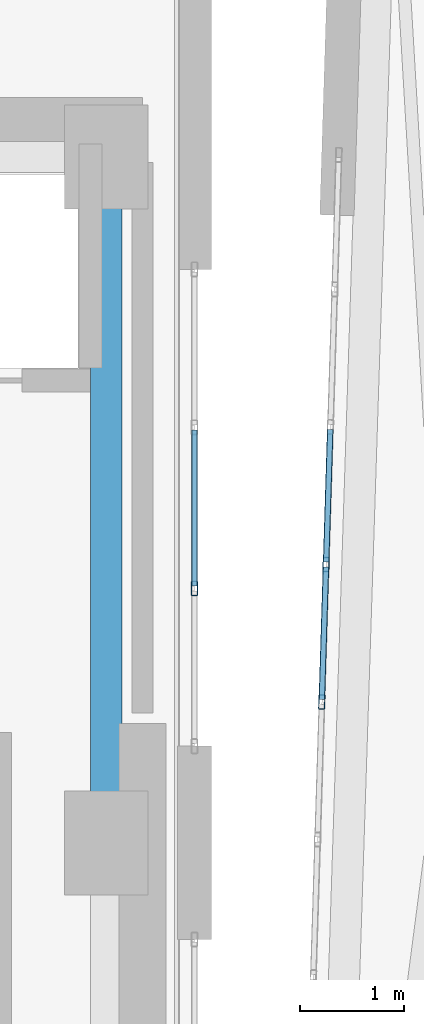
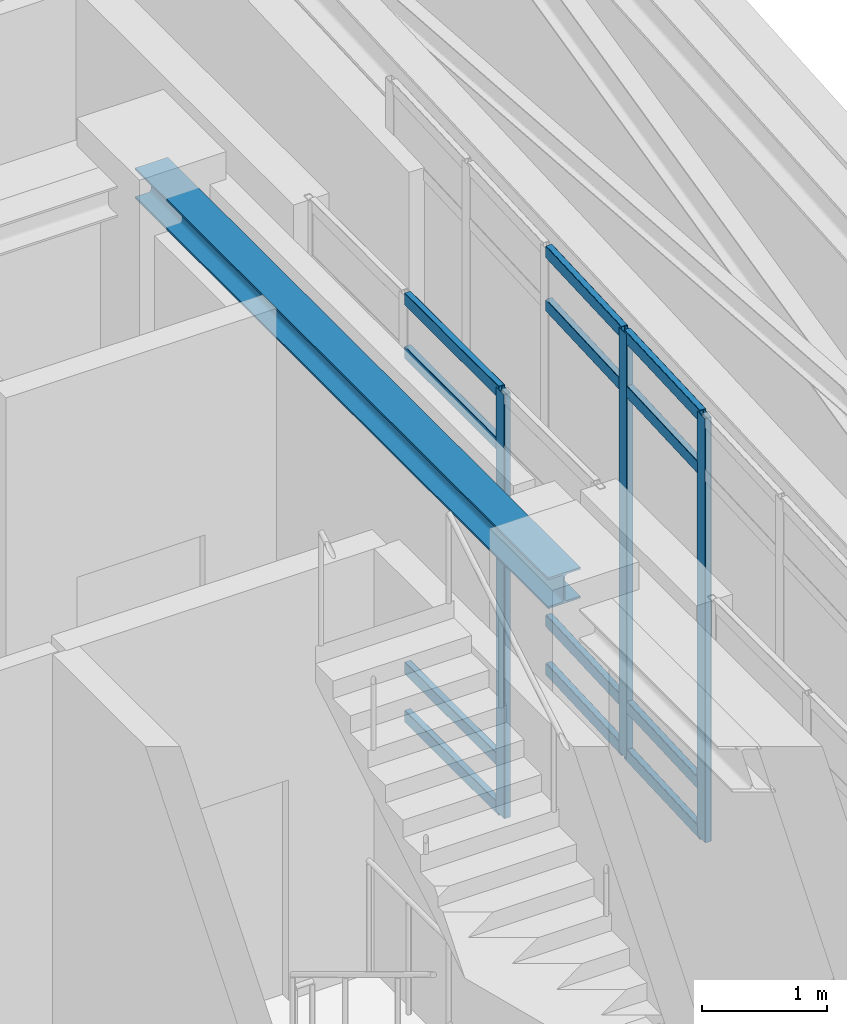
# One storey, part 9 of 19: 15 members, 1 beam, 2 elements without a shape of their own.
"""IFC4 building model written with IfcOpenShell, lengths in metres."""

from ifc_helpers import new_model, si_unit, direction, frame, origin, origin_2d, place, context, subcontext, project, spatial, hollow_rectangle, i_section, extrude, material, layer, layer_set, material_profile, profile_set, type_object, element, aggregate, save


model = new_model("IFC4")

# Units and contexts
model_context = context("Model", 3, precision=1e-05, world=origin(), true_north=direction((0.0, 1.0)))
body_context = subcontext(model_context, "Body", "Model", "MODEL_VIEW")
ifc_project = project(units=[si_unit("LENGTHUNIT", "METRE"), si_unit("AREAUNIT", "SQUARE_METRE"), si_unit("VOLUMEUNIT", "CUBIC_METRE"), si_unit("PLANEANGLEUNIT", "RADIAN"), si_unit("MASSUNIT", "GRAM", prefix="KILO")], contexts=[model_context])

# Site, building, storey
site_placement = place(None, origin())
site = spatial("IfcSite", under=ifc_project, at=site_placement, CompositionType="ELEMENT")
building_placement = place(site_placement, origin())
building = spatial("IfcBuilding", under=site, at=building_placement, Name="Ndelora Gate Hotel", CompositionType="ELEMENT")
storey_placement = place(building_placement, frame((0.0, 0.0, 294.800048828125)))
storey = spatial("IfcBuildingStorey", under=building, at=storey_placement, Name="L73", CompositionType="ELEMENT", Elevation=294.800048828125)

# Beam
ifc_material_1 = material(Name="Steel S355", Category="steel")
ifc_material_profile_1 = material_profile(ifc_material_1, i_section(OverallWidth=0.300048828125, OverallDepth=0.300048828125, WebThickness=0.010986328125, FlangeThickness=0.01904296875, FilletRadius=0.027099609375, at=origin_2d()), Name="HEB 300")
ifc_profile_set_1 = profile_set([ifc_material_profile_1], Name="Steel S355")
beam_type = type_object("IfcBeamType", Name="BM-CORE-300", PredefinedType="BEAM", material=ifc_profile_set_1)
beam_placement = place(storey_placement, frame((8.0, 0.0, 3.97998046875), z_axis=(0.0, 1.0, 0.0), x_axis=(-1.0, 0.0, 0.0)))
element("IfcBeam", 1, at=beam_placement, inside=storey, type_object=beam_type, Name="L73 Core Tie Girder CC4-CC5", PredefinedType="BEAM", context=body_context, shape_type="SweptSolid", body=[
    extrude(i_section(OverallWidth=0.300048828125, OverallDepth=0.300048828125, WebThickness=0.010986328125, FlangeThickness=0.01904296875, FilletRadius=0.027099609375, at=origin_2d()), origin(), (0.0, 0.0, 1.0), 6.60009765625),
])

# Curtain wall, member
ifc_material_2 = material(Name="Bronze Anodised Unitised Aluminium and Low-E Glass", Category="aluminium")
ifc_layer = layer(ifc_material_2, 0.199951171875)
ifc_layer_set = layer_set([ifc_layer], Name="Bronze Anodised Unitised Aluminium and Low-E Glass")
curtain_wall_type = type_object("IfcCurtainWallType", Name="CW-SYS-8", PredefinedType="NOTDEFINED", material=ifc_layer_set)
curtain_wall_1_placement = place(storey_placement, origin())
curtain_wall_1 = element("IfcCurtainWall", 2, at=curtain_wall_1_placement, inside=storey, type_object=curtain_wall_type, Name="L73 Split-Crown West Cleft Lantern Curtain Wall CW8-2", PredefinedType="NOTDEFINED")
ifc_material_3 = material(Name="Bronze Anodised Aluminium 6063-T6", Category="aluminium")
ifc_material_profile_2 = material_profile(ifc_material_3, hollow_rectangle(XDim=0.06005859375, YDim=0.139892578125, WallThickness=0.00390625, InnerFilletRadius=0.00390625, OuterFilletRadius=0.008056640625, at=origin_2d()), Name="ALU 140x60x4")
ifc_profile_set_2 = profile_set([ifc_material_profile_2], Name="Bronze Anodised Aluminium 6063-T6")
member_type_1 = type_object("IfcMemberType", Name="MB-CW-MUL140", PredefinedType="MULLION", material=ifc_profile_set_2)
member_1_placement = place(storey_placement, frame((8.85009765625, 2.449951171875, -0.004150390625), z_axis=(0.0, 0.0, 1.0), x_axis=(-1.0, 0.0, 0.0)))
member_1 = element("IfcMember", 3, at=member_1_placement, type_object=member_type_1, Name="CW8 mullion 2", PredefinedType="MULLION", context=body_context, shape_type="SweptSolid", body=[
    extrude(hollow_rectangle(XDim=0.06005859375, YDim=0.139892578125, WallThickness=0.00390625, InnerFilletRadius=0.00390625, OuterFilletRadius=0.008056640625, at=origin_2d()), origin(), (0.0, 0.0, 1.0), 4.13818359375),
])

# Curtain wall, members
curtain_wall_2_placement = place(storey_placement, origin())
curtain_wall_2 = element("IfcCurtainWall", 4, at=curtain_wall_2_placement, inside=storey, type_object=curtain_wall_type, Name="L73 Split-Crown East Cleft Lantern Curtain Wall CW8", PredefinedType="NOTDEFINED")
member_2_placement = place(storey_placement, frame((10.115966796875, 2.68017578125, -0.004150390625), z_axis=(0.0, 0.0, 1.0), x_axis=(0.999515302198, -0.031131345484, 0.0)))
member_2 = element("IfcMember", 5, at=member_2_placement, type_object=member_type_1, Name="CW8 mullion 4", PredefinedType="MULLION", context=body_context, shape_type="SweptSolid", body=[
    extrude(hollow_rectangle(XDim=0.06005859375, YDim=0.139892578125, WallThickness=0.00390625, InnerFilletRadius=0.00390625, OuterFilletRadius=0.008056640625, at=origin_2d()), origin(), (0.0, 0.0, 1.0), 4.13818359375),
])
member_3_placement = place(storey_placement, frame((10.074951171875, 1.356201171875, -0.004150390625), z_axis=(0.0, 0.0, 1.0), x_axis=(0.999515302198, -0.031131345484, 0.0)))
member_3 = element("IfcMember", 6, at=member_3_placement, type_object=member_type_1, Name="CW8 mullion 5", PredefinedType="MULLION", context=body_context, shape_type="SweptSolid", body=[
    extrude(hollow_rectangle(XDim=0.06005859375, YDim=0.139892578125, WallThickness=0.00390625, InnerFilletRadius=0.00390625, OuterFilletRadius=0.008056640625, at=origin_2d()), origin(), (0.0, 0.0, 1.0), 4.13818359375),
])

# Member
ifc_material_profile_3 = material_profile(ifc_material_3, hollow_rectangle(XDim=0.06005859375, YDim=0.1201171875, WallThickness=0.00390625, InnerFilletRadius=0.00390625, OuterFilletRadius=0.008056640625, at=origin_2d()), Name="ALU 120x60x4")
ifc_profile_set_3 = profile_set([ifc_material_profile_3], Name="Bronze Anodised Aluminium 6063-T6")
member_type_2 = type_object("IfcMemberType", Name="MB-CW-TRN120", PredefinedType="USERDEFINED", material=ifc_profile_set_3)
member_4_placement = place(storey_placement, frame((8.85009765625, 2.47412109375, 0.030029296875), z_axis=(0.0, 1.0, 0.0), x_axis=(-1.0, 0.0, 0.0)))
member_4 = element("IfcMember", 7, at=member_4_placement, type_object=member_type_2, Name="CW8 transom 2.1", ObjectType="TRANSOM", PredefinedType="USERDEFINED", context=body_context, shape_type="SweptSolid", body=[
    extrude(hollow_rectangle(XDim=0.06005859375, YDim=0.1201171875, WallThickness=0.00390625, InnerFilletRadius=0.00390625, OuterFilletRadius=0.008056640625, at=origin_2d()), origin(), (0.0, 0.0, 1.0), 1.501953125),
])

member_5_placement = place(storey_placement, frame((8.85009765625, 2.47412109375, 0.5), z_axis=(0.0, 1.0, 0.0), x_axis=(-1.0, 0.0, 0.0)))
member_5 = element("IfcMember", 8, at=member_5_placement, type_object=member_type_2, Name="CW8 transom 2.2", ObjectType="TRANSOM", PredefinedType="USERDEFINED", context=body_context, shape_type="SweptSolid", body=[
    extrude(hollow_rectangle(XDim=0.06005859375, YDim=0.1201171875, WallThickness=0.00390625, InnerFilletRadius=0.00390625, OuterFilletRadius=0.008056640625, at=origin_2d()), origin(), (0.0, 0.0, 1.0), 1.501953125),
])

member_6_placement = place(storey_placement, frame((8.85009765625, 2.47412109375, 3.579833984375), z_axis=(0.0, 1.0, 0.0), x_axis=(-1.0, 0.0, 0.0)))
member_6 = element("IfcMember", 9, at=member_6_placement, type_object=member_type_2, Name="CW8 transom 2.3", ObjectType="TRANSOM", PredefinedType="USERDEFINED", context=body_context, shape_type="SweptSolid", body=[
    extrude(hollow_rectangle(XDim=0.06005859375, YDim=0.1201171875, WallThickness=0.00390625, InnerFilletRadius=0.00390625, OuterFilletRadius=0.008056640625, at=origin_2d()), origin(), (0.0, 0.0, 1.0), 1.501953125),
])

member_7_placement = place(storey_placement, frame((8.85009765625, 2.47412109375, 4.099853515625), z_axis=(0.0, 1.0, 0.0), x_axis=(-1.0, 0.0, 0.0)))
member_7 = element("IfcMember", 10, at=member_7_placement, type_object=member_type_2, Name="CW8 transom 2.4", ObjectType="TRANSOM", PredefinedType="USERDEFINED", context=body_context, shape_type="SweptSolid", body=[
    extrude(hollow_rectangle(XDim=0.06005859375, YDim=0.1201171875, WallThickness=0.00390625, InnerFilletRadius=0.00390625, OuterFilletRadius=0.008056640625, at=origin_2d()), origin(), (0.0, 0.0, 1.0), 1.501953125),
])

aggregate(curtain_wall_1, [member_1, member_4, member_5, member_6, member_7])

member_8_placement = place(storey_placement, frame((10.156494140625, 3.980224609375, 0.030029296875), z_axis=(-0.030983968775, -0.999519881583, 0.0), x_axis=(0.999519881583, -0.030983968775, 0.0)))
member_8 = element("IfcMember", 11, at=member_8_placement, type_object=member_type_2, Name="CW8 transom 3.1", ObjectType="TRANSOM", PredefinedType="USERDEFINED", context=body_context, shape_type="SweptSolid", body=[
    extrude(hollow_rectangle(XDim=0.06005859375, YDim=0.1201171875, WallThickness=0.00390625, InnerFilletRadius=0.00390625, OuterFilletRadius=0.008056640625, at=origin_2d()), origin(), (0.0, 0.0, 1.0), 1.276611328125),
])

member_9_placement = place(storey_placement, frame((10.156494140625, 3.980224609375, 0.5), z_axis=(-0.030983968775, -0.999519881583, 0.0), x_axis=(0.999519881583, -0.030983968775, 0.0)))
member_9 = element("IfcMember", 12, at=member_9_placement, type_object=member_type_2, Name="CW8 transom 3.2", ObjectType="TRANSOM", PredefinedType="USERDEFINED", context=body_context, shape_type="SweptSolid", body=[
    extrude(hollow_rectangle(XDim=0.06005859375, YDim=0.1201171875, WallThickness=0.00390625, InnerFilletRadius=0.00390625, OuterFilletRadius=0.008056640625, at=origin_2d()), origin(), (0.0, 0.0, 1.0), 1.276611328125),
])

member_10_placement = place(storey_placement, frame((10.156494140625, 3.980224609375, 3.579833984375), z_axis=(-0.030983968775, -0.999519881583, 0.0), x_axis=(0.999519881583, -0.030983968775, 0.0)))
member_10 = element("IfcMember", 13, at=member_10_placement, type_object=member_type_2, Name="CW8 transom 3.3", ObjectType="TRANSOM", PredefinedType="USERDEFINED", context=body_context, shape_type="SweptSolid", body=[
    extrude(hollow_rectangle(XDim=0.06005859375, YDim=0.1201171875, WallThickness=0.00390625, InnerFilletRadius=0.00390625, OuterFilletRadius=0.008056640625, at=origin_2d()), origin(), (0.0, 0.0, 1.0), 1.276611328125),
])

member_11_placement = place(storey_placement, frame((10.156494140625, 3.980224609375, 4.099853515625), z_axis=(-0.030983968775, -0.999519881583, 0.0), x_axis=(0.999519881583, -0.030983968775, 0.0)))
member_11 = element("IfcMember", 14, at=member_11_placement, type_object=member_type_2, Name="CW8 transom 3.4", ObjectType="TRANSOM", PredefinedType="USERDEFINED", context=body_context, shape_type="SweptSolid", body=[
    extrude(hollow_rectangle(XDim=0.06005859375, YDim=0.1201171875, WallThickness=0.00390625, InnerFilletRadius=0.00390625, OuterFilletRadius=0.008056640625, at=origin_2d()), origin(), (0.0, 0.0, 1.0), 1.276611328125),
])

member_12_placement = place(storey_placement, frame((10.115234375, 2.65625, 0.030029296875), z_axis=(-0.030978046786, -0.99952006514, 0.0), x_axis=(0.99952006514, -0.030978046786, 0.0)))
member_12 = element("IfcMember", 15, at=member_12_placement, type_object=member_type_2, Name="CW8 transom 4.1", ObjectType="TRANSOM", PredefinedType="USERDEFINED", context=body_context, shape_type="SweptSolid", body=[
    extrude(hollow_rectangle(XDim=0.06005859375, YDim=0.1201171875, WallThickness=0.00390625, InnerFilletRadius=0.00390625, OuterFilletRadius=0.008056640625, at=origin_2d()), origin(), (0.0, 0.0, 1.0), 1.27685546875),
])

member_13_placement = place(storey_placement, frame((10.115234375, 2.65625, 0.5), z_axis=(-0.030978046786, -0.99952006514, 0.0), x_axis=(0.99952006514, -0.030978046786, 0.0)))
member_13 = element("IfcMember", 16, at=member_13_placement, type_object=member_type_2, Name="CW8 transom 4.2", ObjectType="TRANSOM", PredefinedType="USERDEFINED", context=body_context, shape_type="SweptSolid", body=[
    extrude(hollow_rectangle(XDim=0.06005859375, YDim=0.1201171875, WallThickness=0.00390625, InnerFilletRadius=0.00390625, OuterFilletRadius=0.008056640625, at=origin_2d()), origin(), (0.0, 0.0, 1.0), 1.27685546875),
])

member_14_placement = place(storey_placement, frame((10.115234375, 2.65625, 3.579833984375), z_axis=(-0.030978046786, -0.99952006514, 0.0), x_axis=(0.99952006514, -0.030978046786, 0.0)))
member_14 = element("IfcMember", 17, at=member_14_placement, type_object=member_type_2, Name="CW8 transom 4.3", ObjectType="TRANSOM", PredefinedType="USERDEFINED", context=body_context, shape_type="SweptSolid", body=[
    extrude(hollow_rectangle(XDim=0.06005859375, YDim=0.1201171875, WallThickness=0.00390625, InnerFilletRadius=0.00390625, OuterFilletRadius=0.008056640625, at=origin_2d()), origin(), (0.0, 0.0, 1.0), 1.27685546875),
])

member_15_placement = place(storey_placement, frame((10.115234375, 2.65625, 4.099853515625), z_axis=(-0.030978046786, -0.99952006514, 0.0), x_axis=(0.99952006514, -0.030978046786, 0.0)))
member_15 = element("IfcMember", 18, at=member_15_placement, type_object=member_type_2, Name="CW8 transom 4.4", ObjectType="TRANSOM", PredefinedType="USERDEFINED", context=body_context, shape_type="SweptSolid", body=[
    extrude(hollow_rectangle(XDim=0.06005859375, YDim=0.1201171875, WallThickness=0.00390625, InnerFilletRadius=0.00390625, OuterFilletRadius=0.008056640625, at=origin_2d()), origin(), (0.0, 0.0, 1.0), 1.27685546875),
])

aggregate(curtain_wall_2, [member_2, member_3, member_8, member_9, member_10, member_11, member_12, member_13, member_14, member_15])

save(model, "model.ifc")
